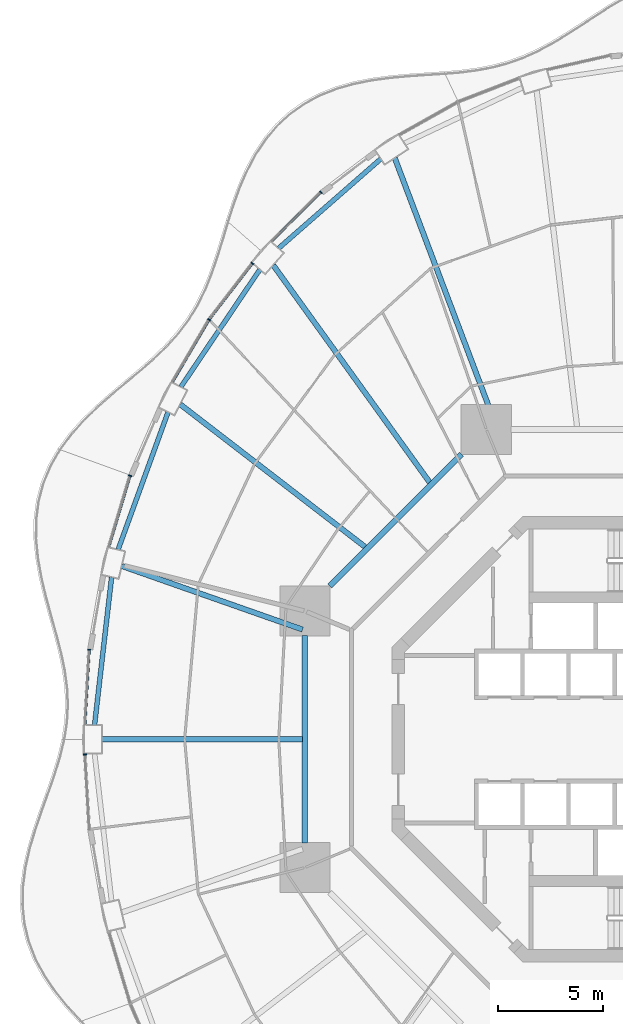
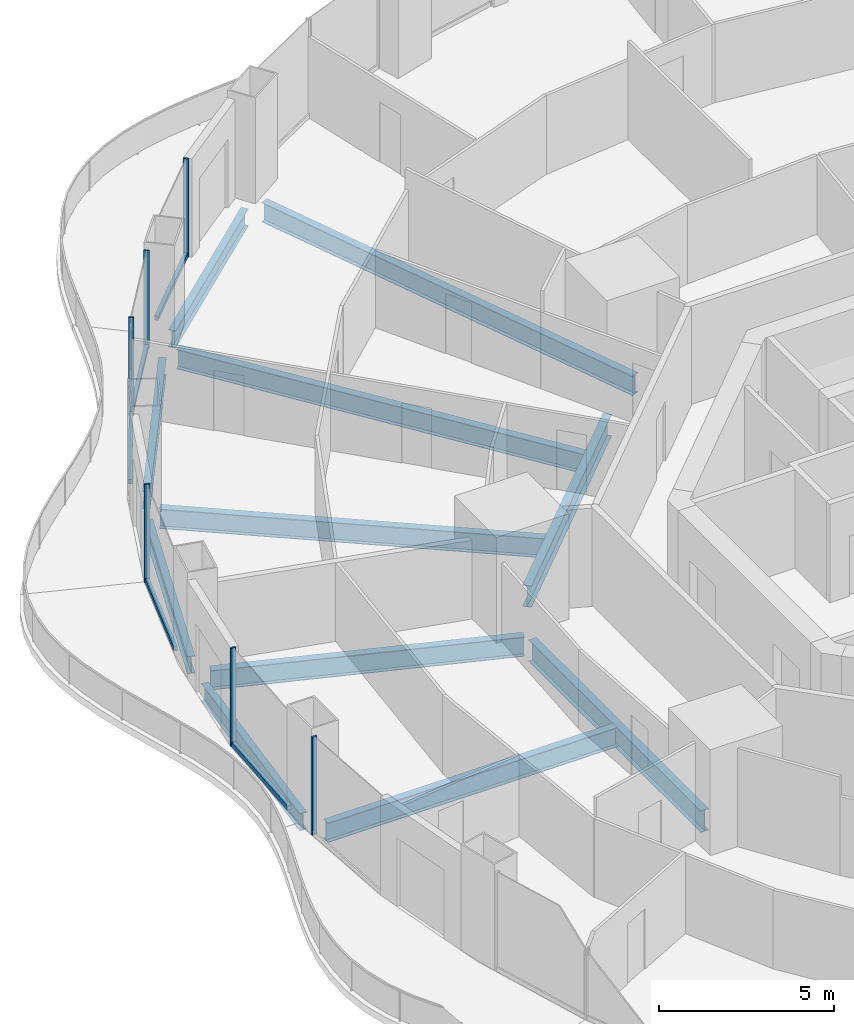
# One storey, part 7 of 22: 11 beams, 11 members, 6 elements without a shape of their own.
"""IFC4 building model written with IfcOpenShell, lengths in metres."""

from ifc_helpers import new_model, si_unit, direction, frame, origin, origin_2d, place, context, subcontext, project, spatial, rectangle, i_section, extrude, material, layer, layer_set, material_profile, profile_set, type_object, element, aggregate, save


model = new_model("IFC4")

# Units and contexts
model_context = context("Model", 3, precision=1e-05, world=origin(), true_north=direction((0.0, 1.0)))
body_context = subcontext(model_context, "Body", "Model", "MODEL_VIEW")
ifc_project = project(units=[si_unit("LENGTHUNIT", "METRE"), si_unit("AREAUNIT", "SQUARE_METRE"), si_unit("VOLUMEUNIT", "CUBIC_METRE"), si_unit("PLANEANGLEUNIT", "RADIAN"), si_unit("MASSUNIT", "GRAM", prefix="KILO")], contexts=[model_context])

# Site, building, storey
site_placement = place(None, origin())
site = spatial("IfcSite", under=ifc_project, at=site_placement, CompositionType="ELEMENT")
building_placement = place(site_placement, origin())
building = spatial("IfcBuilding", under=site, at=building_placement, Name="Nagisa Residences", CompositionType="ELEMENT")
storey_placement = place(building_placement, frame((0.0, 0.0, 45.5)))
storey = spatial("IfcBuildingStorey", under=building, at=storey_placement, Name="L10", CompositionType="ELEMENT", Elevation=45.5)

# Curtain wall, member
ifc_material_1 = material(Name="Concrete-coloured aluminium curtain wall system", Category="concrete")
ifc_layer = layer(ifc_material_1, 0.159912109375)
ifc_layer_set = layer_set([ifc_layer], Name="CW1 CURTAIN WALL")
curtain_wall_type = type_object("IfcCurtainWallType", Name="CW1 CURTAIN WALL", PredefinedType="NOTDEFINED", material=ifc_layer_set)
curtain_wall_1_placement = place(storey_placement, origin())
curtain_wall_1 = element("IfcCurtainWall", 1, at=curtain_wall_1_placement, inside=storey, type_object=curtain_wall_type, Name="cw:CW1:L10:17", PredefinedType="NOTDEFINED")
ifc_material_2 = material(Name="Concrete-coloured aluminium", Category="concrete")
ifc_material_profile_1 = material_profile(ifc_material_2, rectangle(XDim=0.159912109375, YDim=0.06005859375, at=origin_2d()), Name="CW1 MULLION 160x60")
ifc_profile_set_1 = profile_set([ifc_material_profile_1], Name="Concrete-coloured aluminium")
member_type_1 = type_object("IfcMemberType", Name="CW1 MULLION 160x60", PredefinedType="MULLION", material=ifc_profile_set_1)
member_1_placement = place(storey_placement, frame((-14.018798828125, 26.102783203125, 0.0), z_axis=(0.0, 0.0, 1.0), x_axis=(0.706376885714, -0.707835924016, 0.0)))
member_1 = element("IfcMember", 2, at=member_1_placement, type_object=member_type_1, Name="CW1 mullion", PredefinedType="MULLION", context=body_context, shape_type="SweptSolid", body=[
    extrude(rectangle(XDim=0.159912109375, YDim=0.06005859375, at=origin_2d()), origin(), (0.0, 0.0, 1.0), 3.43994140625),
])

curtain_wall_2_placement = place(storey_placement, origin())
curtain_wall_2 = element("IfcCurtainWall", 3, at=curtain_wall_2_placement, inside=storey, type_object=curtain_wall_type, Name="cw:CW1:L10:18", PredefinedType="NOTDEFINED")
member_2_placement = place(storey_placement, frame((-17.288330078125, 22.70751953125, 0.0), z_axis=(0.0, 0.0, 1.0), x_axis=(0.792070340816, -0.610429828235, 0.0)))
member_2 = element("IfcMember", 4, at=member_2_placement, type_object=member_type_1, Name="CW1 mullion", PredefinedType="MULLION", context=body_context, shape_type="SweptSolid", body=[
    extrude(rectangle(XDim=0.159912109375, YDim=0.06005859375, at=origin_2d()), origin(), (0.0, 0.0, 1.0), 3.43994140625),
])

curtain_wall_3_placement = place(storey_placement, origin())
curtain_wall_3 = element("IfcCurtainWall", 5, at=curtain_wall_3_placement, inside=storey, type_object=curtain_wall_type, Name="cw:CW1:L10:19", PredefinedType="NOTDEFINED")
member_3_placement = place(storey_placement, frame((-19.353515625, 20.022705078125, 0.0), z_axis=(0.0, 0.0, 1.0), x_axis=(0.862328898214, -0.506348567002, 0.0)))
member_3 = element("IfcMember", 6, at=member_3_placement, type_object=member_type_1, Name="CW1 mullion", PredefinedType="MULLION", context=body_context, shape_type="SweptSolid", body=[
    extrude(rectangle(XDim=0.159912109375, YDim=0.06005859375, at=origin_2d()), origin(), (0.0, 0.0, 1.0), 3.43994140625),
])

curtain_wall_4_placement = place(storey_placement, origin())
curtain_wall_4 = element("IfcCurtainWall", 7, at=curtain_wall_4_placement, inside=storey, type_object=curtain_wall_type, Name="cw:CW1:L10:21", PredefinedType="NOTDEFINED")
member_4_placement = place(storey_placement, frame((-23.12451171875, 12.576904296875, 0.0), z_axis=(0.0, 0.0, 1.0), x_axis=(0.958271310082, -0.285860274038, 0.0)))
member_4 = element("IfcMember", 8, at=member_4_placement, type_object=member_type_1, Name="CW1 mullion", PredefinedType="MULLION", context=body_context, shape_type="SweptSolid", body=[
    extrude(rectangle(XDim=0.159912109375, YDim=0.06005859375, at=origin_2d()), origin(), (0.0, 0.0, 1.0), 3.43994140625),
])

curtain_wall_5_placement = place(storey_placement, origin())
curtain_wall_5 = element("IfcCurtainWall", 9, at=curtain_wall_5_placement, inside=storey, type_object=curtain_wall_type, Name="cw:CW1:L10:23", PredefinedType="NOTDEFINED")
member_5_placement = place(storey_placement, frame((-25.07373046875, 4.272705078125, 0.0), z_axis=(0.0, 0.0, 1.0), x_axis=(0.998345305184, -0.057503492216, 0.0)))
member_5 = element("IfcMember", 10, at=member_5_placement, type_object=member_type_1, Name="CW1 mullion", PredefinedType="MULLION", context=body_context, shape_type="SweptSolid", body=[
    extrude(rectangle(XDim=0.159912109375, YDim=0.06005859375, at=origin_2d()), origin(), (0.0, 0.0, 1.0), 3.43994140625),
])

curtain_wall_6_placement = place(storey_placement, origin())
curtain_wall_6 = element("IfcCurtainWall", 11, at=curtain_wall_6_placement, inside=storey, type_object=curtain_wall_type, Name="cw:CW1:L10:24", PredefinedType="NOTDEFINED")
member_6_placement = place(storey_placement, frame((-25.278076171875, -0.72412109375, 0.0), z_axis=(0.0, 0.0, 1.0), x_axis=(0.998345305184, 0.057503492216, 0.0)))
member_6 = element("IfcMember", 12, at=member_6_placement, type_object=member_type_1, Name="CW1 mullion", PredefinedType="MULLION", context=body_context, shape_type="SweptSolid", body=[
    extrude(rectangle(XDim=0.159912109375, YDim=0.06005859375, at=origin_2d()), origin(), (0.0, 0.0, 1.0), 3.43994140625),
])
aggregate(curtain_wall_6, [member_6])

# Member
ifc_material_3 = material(Name="Concrete-coloured aluminium", Category="concrete")
ifc_material_profile_2 = material_profile(ifc_material_3, rectangle(XDim=0.1201171875, YDim=0.14990234375, at=origin_2d()), Name="CW1 TRANSOM 120x150")
ifc_profile_set_2 = profile_set([ifc_material_profile_2], Name="Concrete-coloured aluminium")
member_type_2 = type_object("IfcMemberType", Name="CW1 TRANSOM 120x150", PredefinedType="USERDEFINED", material=ifc_profile_set_2)
member_7_placement = place(storey_placement, frame((-13.99755859375, 26.1240234375, 0.074951171875), z_axis=(-0.707839761606, -0.706373040177, 0.0), x_axis=(0.706373040177, -0.707839761606, 0.0)))
member_7 = element("IfcMember", 13, at=member_7_placement, type_object=member_type_2, Name="CW1 transom", ObjectType="TRANSOM", PredefinedType="USERDEFINED", context=body_context, shape_type="SweptSolid", body=[
    extrude(rectangle(XDim=0.1201171875, YDim=0.14990234375, at=origin_2d()), origin(), (0.0, 0.0, 1.0), 3.3291015625),
])

aggregate(curtain_wall_1, [member_1, member_7])

member_8_placement = place(storey_placement, frame((-17.27001953125, 22.731201171875, 0.074951171875), z_axis=(-0.610457147657, -0.792049285635, 0.0), x_axis=(0.792049285635, -0.610457147657, 0.0)))
member_8 = element("IfcMember", 14, at=member_8_placement, type_object=member_type_2, Name="CW1 transom", ObjectType="TRANSOM", PredefinedType="USERDEFINED", context=body_context, shape_type="SweptSolid", body=[
    extrude(rectangle(XDim=0.1201171875, YDim=0.14990234375, at=origin_2d()), origin(), (0.0, 0.0, 1.0), 3.3974609375),
])

aggregate(curtain_wall_2, [member_2, member_8])

member_9_placement = place(storey_placement, frame((-19.33837890625, 20.048583984375, 0.074951171875), z_axis=(-0.506341951316, -0.862332782827, 0.0), x_axis=(0.862332782827, -0.506341951316, 0.0)))
member_9 = element("IfcMember", 15, at=member_9_placement, type_object=member_type_2, Name="CW1 transom", ObjectType="TRANSOM", PredefinedType="USERDEFINED", context=body_context, shape_type="SweptSolid", body=[
    extrude(rectangle(XDim=0.1201171875, YDim=0.14990234375, at=origin_2d()), origin(), (0.0, 0.0, 1.0), 3.4619140625),
])

aggregate(curtain_wall_3, [member_3, member_9])

member_10_placement = place(storey_placement, frame((-23.115966796875, 12.605712890625, 0.074951171875), z_axis=(-0.285808431121, -0.958286773727, 0.0), x_axis=(0.958286773727, -0.285808431121, 0.0)))
member_10 = element("IfcMember", 16, at=member_10_placement, type_object=member_type_2, Name="CW1 transom", ObjectType="TRANSOM", PredefinedType="USERDEFINED", context=body_context, shape_type="SweptSolid", body=[
    extrude(rectangle(XDim=0.1201171875, YDim=0.14990234375, at=origin_2d()), origin(), (0.0, 0.0, 1.0), 3.5654296875),
])

aggregate(curtain_wall_4, [member_4, member_10])

member_11_placement = place(storey_placement, frame((-25.072021484375, 4.302734375, 0.074951171875), z_axis=(-0.057482603412, -0.998346508135, 0.0), x_axis=(0.998346508135, -0.057482603412, 0.0)))
member_11 = element("IfcMember", 17, at=member_11_placement, type_object=member_type_2, Name="CW1 transom", ObjectType="TRANSOM", PredefinedType="USERDEFINED", context=body_context, shape_type="SweptSolid", body=[
    extrude(rectangle(XDim=0.1201171875, YDim=0.14990234375, at=origin_2d()), origin(), (0.0, 0.0, 1.0), 3.6142578125),
])

aggregate(curtain_wall_5, [member_5, member_11])

# Beams
ifc_material_4 = material(Name="Steel ASTM A572 Gr 50", Category="steel")
ifc_material_profile_3 = material_profile(ifc_material_4, i_section(OverallWidth=0.264892578125, OverallDepth=0.7529296875, WebThickness=0.01318359375, FlangeThickness=0.01708984375, at=origin_2d()), Name="W760x147")
ifc_profile_set_3 = profile_set([ifc_material_profile_3], Name="Steel ASTM A572 Gr 50")
beam_type_1 = type_object("IfcBeamType", Name="Inner ring beam W760x147", PredefinedType="BEAM", material=ifc_profile_set_3)
beam_1_placement = place(storey_placement, frame((-7.308837890625, 13.59619140625, -0.636474609375), z_axis=(-0.707106781187, -0.707106781187, 0.0), x_axis=(0.707106781187, -0.707106781187, 0.0)))
element("IfcBeam", 18, at=beam_1_placement, inside=storey, type_object=beam_type_1, Name="beam:L10:ib3", PredefinedType="BEAM", context=body_context, shape_type="SweptSolid", body=[
    extrude(i_section(OverallWidth=0.264892578125, OverallDepth=0.7529296875, WebThickness=0.01318359375, FlangeThickness=0.01708984375, at=origin_2d()), origin(), (0.0, 0.0, 1.0), 8.8916015625),
])
beam_2_placement = place(storey_placement, frame((-14.781982421875, 4.94287109375, -0.636474609375), z_axis=(0.0, -1.0, 0.0), x_axis=(1.0, 0.0, 0.0)))
element("IfcBeam", 19, at=beam_2_placement, inside=storey, type_object=beam_type_1, Name="beam:L10:ib4", PredefinedType="BEAM", context=body_context, shape_type="SweptSolid", body=[
    extrude(i_section(OverallWidth=0.264892578125, OverallDepth=0.7529296875, WebThickness=0.01318359375, FlangeThickness=0.01708984375, at=origin_2d()), origin(), (0.0, 0.0, 1.0), 9.8857421875),
])
ifc_material_5 = material(Name="Steel ASTM A572 Gr 50", Category="steel")
ifc_material_profile_4 = material_profile(ifc_material_5, i_section(OverallWidth=0.22802734375, OverallDepth=0.60302734375, WebThickness=0.010498046875, FlangeThickness=0.014892578125, at=origin_2d()), Name="W610x101")
ifc_profile_set_4 = profile_set([ifc_material_profile_4], Name="Steel ASTM A572 Gr 50")
beam_type_2 = type_object("IfcBeamType", Name="Perimeter ring beam W610x101", PredefinedType="BEAM", material=ifc_profile_set_4)
beam_3_placement = place(storey_placement, frame((-11.166748046875, 27.693603515625, -0.5615234375), z_axis=(-0.752574357292, -0.658507279191, 0.0), x_axis=(0.658507279191, -0.752574357292, 0.0)))
element("IfcBeam", 20, at=beam_3_placement, inside=storey, type_object=beam_type_2, Name="beam:L10:pb09", PredefinedType="BEAM", context=body_context, shape_type="SweptSolid", body=[
    extrude(i_section(OverallWidth=0.22802734375, OverallDepth=0.60302734375, WebThickness=0.010498046875, FlangeThickness=0.014892578125, at=origin_2d()), origin(), (0.0, 0.0, 1.0), 6.47021484375),
])
beam_4_placement = place(storey_placement, frame((-16.935302734375, 22.411865234375, -0.5615234375), z_axis=(-0.558296806041, -0.829641293792, 0.0), x_axis=(0.829641293792, -0.558296806041, 0.0)))
element("IfcBeam", 21, at=beam_4_placement, inside=storey, type_object=beam_type_2, Name="beam:L10:pb10", PredefinedType="BEAM", context=body_context, shape_type="SweptSolid", body=[
    extrude(i_section(OverallWidth=0.22802734375, OverallDepth=0.60302734375, WebThickness=0.010498046875, FlangeThickness=0.014892578125, at=origin_2d()), origin(), (0.0, 0.0, 1.0), 6.74169921875),
])
beam_5_placement = place(storey_placement, frame((-21.315673828125, 15.60595703125, -0.5615234375), z_axis=(-0.341411143183, -0.939914055279, 0.0), x_axis=(0.939914055279, -0.341411143183, 0.0)))
element("IfcBeam", 22, at=beam_5_placement, inside=storey, type_object=beam_type_2, Name="beam:L10:pb11", PredefinedType="BEAM", context=body_context, shape_type="SweptSolid", body=[
    extrude(i_section(OverallWidth=0.22802734375, OverallDepth=0.60302734375, WebThickness=0.010498046875, FlangeThickness=0.014892578125, at=origin_2d()), origin(), (0.0, 0.0, 1.0), 6.96923828125),
])
beam_6_placement = place(storey_placement, frame((-24.00732421875, 7.7314453125, -0.5615234375), z_axis=(-0.114707660057, -0.993399291687, 0.0), x_axis=(0.993399291687, -0.114707660057, 0.0)))
element("IfcBeam", 23, at=beam_6_placement, inside=storey, type_object=beam_type_2, Name="beam:L10:pb12", PredefinedType="BEAM", context=body_context, shape_type="SweptSolid", body=[
    extrude(i_section(OverallWidth=0.22802734375, OverallDepth=0.60302734375, WebThickness=0.010498046875, FlangeThickness=0.014892578125, at=origin_2d()), origin(), (0.0, 0.0, 1.0), 7.09814453125),
])
ifc_material_6 = material(Name="Steel ASTM A572 Gr 50", Category="steel")
ifc_material_profile_5 = material_profile(ifc_material_6, i_section(OverallWidth=0.25390625, OverallDepth=0.68408203125, WebThickness=0.012451171875, FlangeThickness=0.018798828125, at=origin_2d()), Name="W690x140")
ifc_profile_set_5 = profile_set([ifc_material_profile_5], Name="Steel ASTM A572 Gr 50")
beam_type_3 = type_object("IfcBeamType", Name="Radial beam W690x140", PredefinedType="BEAM", material=ifc_profile_set_5)
beam_7_placement = place(storey_placement, frame((-10.493896484375, 27.7333984375, -0.60205078125), z_axis=(0.353887892206, -0.935287848606, 0.0), x_axis=(0.935287848606, 0.353887892206, 0.0)))
element("IfcBeam", 24, at=beam_7_placement, inside=storey, type_object=beam_type_3, Name="beam:L10:rb09", PredefinedType="BEAM", context=body_context, shape_type="SweptSolid", body=[
    extrude(i_section(OverallWidth=0.25390625, OverallDepth=0.68408203125, WebThickness=0.012451171875, FlangeThickness=0.018798828125, at=origin_2d()), origin(), (0.0, 0.0, 1.0), 13.725830078125),
])
beam_8_placement = place(storey_placement, frame((-16.29443359375, 22.62255859375, -0.60205078125), z_axis=(0.58445507622, -0.811426068031, 0.0), x_axis=(0.811426068031, 0.58445507622, 0.0)))
element("IfcBeam", 25, at=beam_8_placement, inside=storey, type_object=beam_type_3, Name="beam:L10:rb10", PredefinedType="BEAM", context=body_context, shape_type="SweptSolid", body=[
    extrude(i_section(OverallWidth=0.25390625, OverallDepth=0.68408203125, WebThickness=0.012451171875, FlangeThickness=0.018798828125, at=origin_2d()), origin(), (0.0, 0.0, 1.0), 12.78955078125),
])
beam_9_placement = place(storey_placement, frame((-20.73486328125, 15.982666015625, -0.60205078125), z_axis=(0.792016146736, -0.610500141941, 0.0), x_axis=(0.610500141941, 0.792016146736, 0.0)))
element("IfcBeam", 26, at=beam_9_placement, inside=storey, type_object=beam_type_3, Name="beam:L10:rb11", PredefinedType="BEAM", context=body_context, shape_type="SweptSolid", body=[
    extrude(i_section(OverallWidth=0.25390625, OverallDepth=0.68408203125, WebThickness=0.012451171875, FlangeThickness=0.018798828125, at=origin_2d()), origin(), (0.0, 0.0, 1.0), 11.160888671875),
])
beam_10_placement = place(storey_placement, frame((-23.520751953125, 8.26806640625, -0.60205078125), z_axis=(0.943414535235, -0.331615763659, 0.0), x_axis=(0.331615763659, 0.943414535235, 0.0)))
element("IfcBeam", 27, at=beam_10_placement, inside=storey, type_object=beam_type_3, Name="beam:L10:rb12", PredefinedType="BEAM", context=body_context, shape_type="SweptSolid", body=[
    extrude(i_section(OverallWidth=0.25390625, OverallDepth=0.68408203125, WebThickness=0.012451171875, FlangeThickness=0.018798828125, at=origin_2d()), origin(), (0.0, 0.0, 1.0), 9.142333984375),
])
beam_11_placement = place(storey_placement, frame((-24.469970703125, 0.0, -0.60205078125), z_axis=(1.0, 0.0, 0.0), x_axis=(0.0, 1.0, 0.0)))
element("IfcBeam", 28, at=beam_11_placement, inside=storey, type_object=beam_type_3, Name="beam:L10:rb13", PredefinedType="BEAM", context=body_context, shape_type="SweptSolid", body=[
    extrude(i_section(OverallWidth=0.25390625, OverallDepth=0.68408203125, WebThickness=0.012451171875, FlangeThickness=0.018798828125, at=origin_2d()), origin(), (0.0, 0.0, 1.0), 9.575439453125),
])

save(model, "model.ifc")
